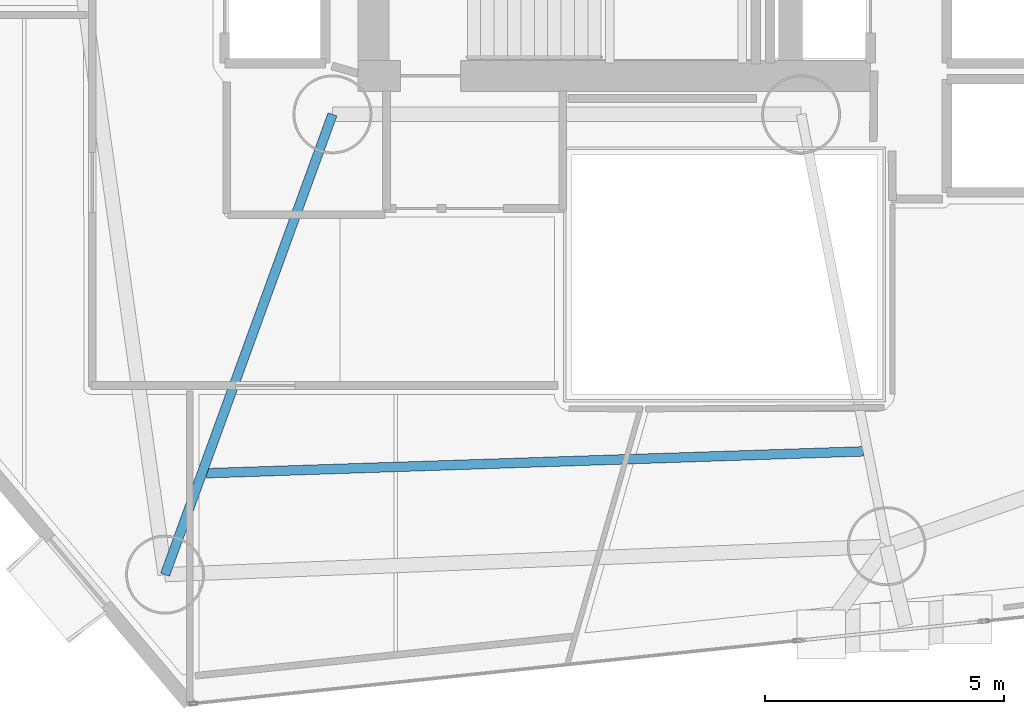
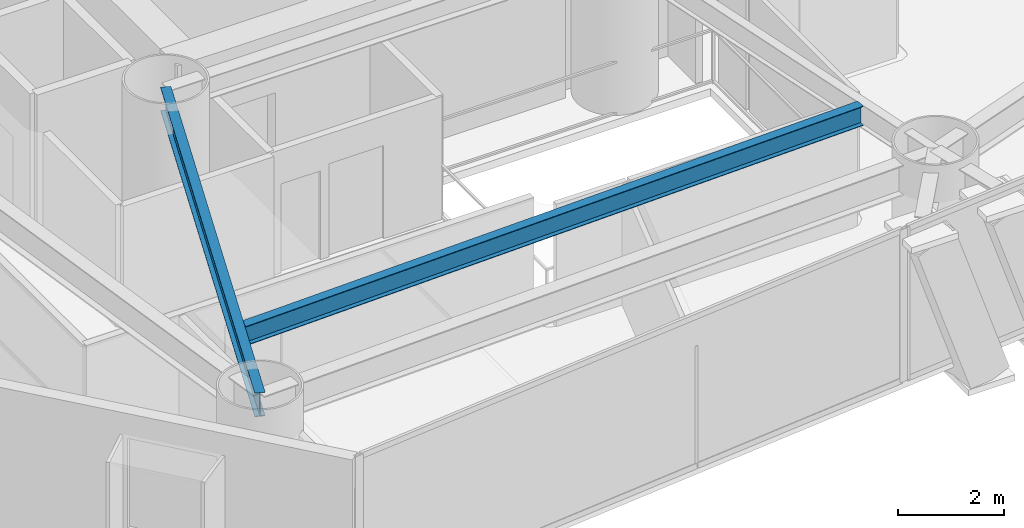
# One storey, part 3 of 23: 2 beams.
"""IFC4 building model written with IfcOpenShell, lengths in metres."""

from ifc_helpers import new_model, si_unit, direction, frame, origin, origin_2d, place, context, subcontext, project, spatial, i_section, extrude, material, material_profile, profile_set, type_object, element, save


model = new_model("IFC4")

# Units and contexts
model_context = context("Model", 3, precision=1e-05, world=origin(), true_north=direction((0.0, 1.0)))
body_context = subcontext(model_context, "Body", "Model", "MODEL_VIEW")
ifc_project = project(units=[si_unit("LENGTHUNIT", "METRE"), si_unit("AREAUNIT", "SQUARE_METRE"), si_unit("VOLUMEUNIT", "CUBIC_METRE"), si_unit("PLANEANGLEUNIT", "RADIAN"), si_unit("MASSUNIT", "GRAM", prefix="KILO")], contexts=[model_context])

# Site, building, storey
site_placement = place(None, origin())
site = spatial("IfcSite", under=ifc_project, at=site_placement, CompositionType="ELEMENT")
building_placement = place(site_placement, origin())
building = spatial("IfcBuilding", under=site, at=building_placement, Name="Qianvela Tower", CompositionType="ELEMENT")
storey_placement = place(building_placement, frame((0.0, 0.0, 67.300048828125)))
storey = spatial("IfcBuildingStorey", under=building, at=storey_placement, Name="L16", CompositionType="ELEMENT", Elevation=67.300048828125)

# Beams
ifc_material_1 = material(Name="Steel Q355B", Category="steel")
ifc_material_profile_1 = material_profile(ifc_material_1, i_section(OverallWidth=0.199951171875, OverallDepth=0.449951171875, WebThickness=0.009033203125, FlangeThickness=0.013916015625, at=origin_2d()), Name="HN450x200x9x14")
ifc_profile_set_1 = profile_set([ifc_material_profile_1], Name="Steel Q355B")
beam_type_1 = type_object("IfcBeamType", Name="BM-HN450-JOIST", PredefinedType="JOIST", material=ifc_profile_set_1)
beam_1_placement = place(storey_placement, frame((25.9658203125, 16.345703125, 3.29296875), z_axis=(0.999447329793, 0.033242066273, 0.0), x_axis=(-0.033242066273, 0.999447329793, 0.0)))
element("IfcBeam", 1, at=beam_1_placement, inside=storey, type_object=beam_type_1, Name="L16 Secondary Composite Floor Joist 5.3", PredefinedType="JOIST", context=body_context, shape_type="SweptSolid", body=[
    extrude(i_section(OverallWidth=0.199951171875, OverallDepth=0.449951171875, WebThickness=0.009033203125, FlangeThickness=0.013916015625, at=origin_2d()), origin(), (0.0, 0.0, 1.0), 13.7412109375),
])
ifc_material_2 = material(Name="Steel Q355B", Category="steel")
ifc_material_profile_2 = material_profile(ifc_material_2, i_section(OverallWidth=0.199951171875, OverallDepth=0.550048828125, WebThickness=0.010009765625, FlangeThickness=0.01611328125, at=origin_2d()), Name="HN550x200x10x16")
ifc_profile_set_2 = profile_set([ifc_material_profile_2], Name="Steel Q355B")
beam_type_2 = type_object("IfcBeamType", Name="BM-HN550-GIRD", PredefinedType="BEAM", material=ifc_profile_set_2)
beam_2_placement = place(storey_placement, frame((28.60009765625, 23.85009765625, 3.242919921875), z_axis=(-0.341743063087, -0.939793423488, 0.0), x_axis=(0.939793423488, -0.341743063087, 0.0)))
element("IfcBeam", 2, at=beam_2_placement, inside=storey, type_object=beam_type_2, Name="L16 Radial Primary Floor Girder 5", PredefinedType="BEAM", context=body_context, shape_type="SweptSolid", body=[
    extrude(i_section(OverallWidth=0.199951171875, OverallDepth=0.550048828125, WebThickness=0.010009765625, FlangeThickness=0.01611328125, at=origin_2d()), origin(), (0.0, 0.0, 1.0), 10.24169921875),
])

save(model, "model.ifc")
